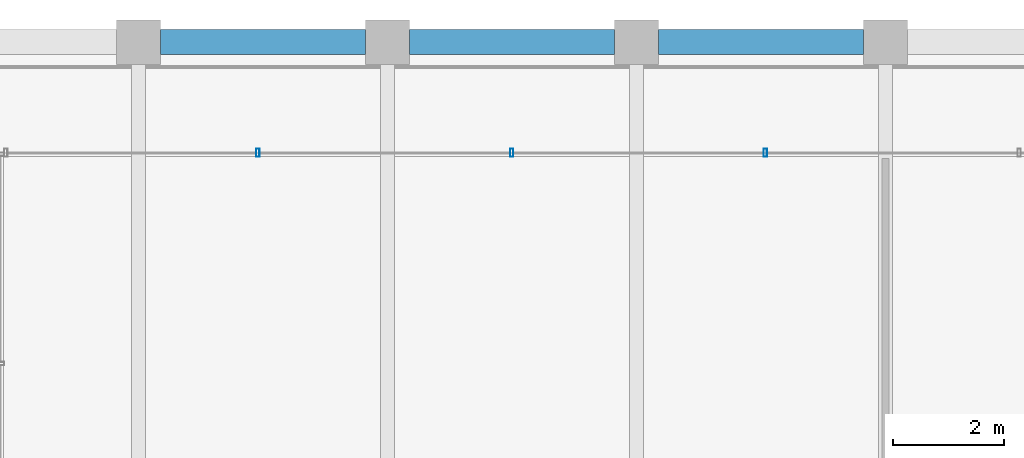
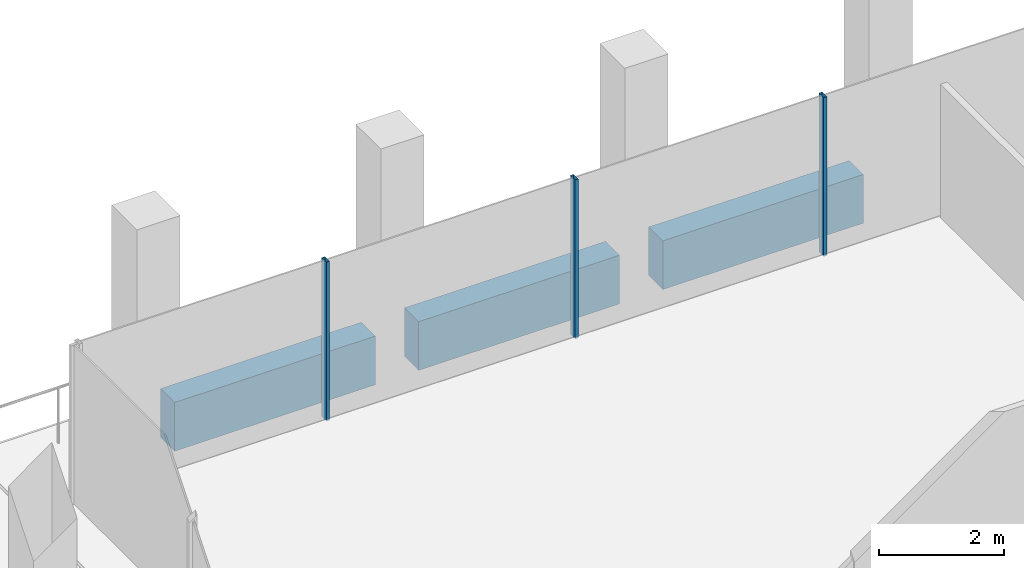
# One storey, part 23 of 30: 3 beams, 3 members, 1 element without a shape of its own.
"""IFC4 building model written with IfcOpenShell, lengths in metres."""

from ifc_helpers import new_model, si_unit, direction, frame, origin, origin_2d, place, context, subcontext, project, spatial, rectangle, hollow_rectangle, extrude, material, material_profile, profile_set, type_object, element, aggregate, save


model = new_model("IFC4")

# Units and contexts
model_context = context("Model", 3, precision=1e-05, world=origin(), true_north=direction((0.0, 1.0)))
body_context = subcontext(model_context, "Body", "Model", "MODEL_VIEW")
ifc_project = project(units=[si_unit("LENGTHUNIT", "METRE"), si_unit("AREAUNIT", "SQUARE_METRE"), si_unit("VOLUMEUNIT", "CUBIC_METRE"), si_unit("PLANEANGLEUNIT", "RADIAN"), si_unit("MASSUNIT", "GRAM", prefix="KILO")], contexts=[model_context])

# Site, building, storey
site_placement = place(None, origin())
site = spatial("IfcSite", under=ifc_project, at=site_placement, CompositionType="ELEMENT")
building_placement = place(site_placement, origin())
building = spatial("IfcBuilding", under=site, at=building_placement, Name="Altepetl Exchange Towers", CompositionType="ELEMENT")
storey_placement = place(building_placement, frame((0.0, 0.0, 242.39990234375)))
storey = spatial("IfcBuildingStorey", under=building, at=storey_placement, Name="L62", CompositionType="ELEMENT", Elevation=242.39990234375)

# Curtain wall, members
ifc_material_1 = material(Name="Aluminium 6063-T6 glazing", Category="aluminium")
curtain_wall_type = type_object("IfcCurtainWallType", Name="Loggia glazing system", PredefinedType="NOTDEFINED", material=ifc_material_1)
curtain_wall_placement = place(storey_placement, origin())
curtain_wall = element("IfcCurtainWall", 1, at=curtain_wall_placement, inside=storey, type_object=curtain_wall_type, Name="CW1 run", PredefinedType="NOTDEFINED")
ifc_material_2 = material(Name="Aluminium 6063-T6", Category="aluminium")
ifc_material_profile_1 = material_profile(ifc_material_2, hollow_rectangle(XDim=0.06005859375, YDim=0.14990234375, WallThickness=0.0029296875, at=origin_2d()), Name="Mullion 60x150 aluminium")
ifc_profile_set_1 = profile_set([ifc_material_profile_1], Name="Aluminium 6063-T6")
member_type = type_object("IfcMemberType", Name="Mullion 60x150 aluminium", PredefinedType="MULLION", material=ifc_profile_set_1)
member_1_placement = place(storey_placement, frame((56.330078125, 70.0, 0.0), z_axis=(0.0, 0.0, 1.0), x_axis=(-1.0, 0.0, 0.0)))
member_1 = element("IfcMember", 2, at=member_1_placement, type_object=member_type, Name="MU1 mullion", PredefinedType="MULLION", context=body_context, shape_type="SweptSolid", body=[
    extrude(hollow_rectangle(XDim=0.06005859375, YDim=0.14990234375, WallThickness=0.0029296875, at=origin_2d()), origin(), (0.0, 0.0, 1.0), 3.10009765625),
])
member_2_placement = place(storey_placement, frame((51.7451171875, 70.0, 0.0), z_axis=(0.0, 0.0, 1.0), x_axis=(-1.0, 0.0, 0.0)))
member_2 = element("IfcMember", 3, at=member_2_placement, type_object=member_type, Name="MU1 mullion", PredefinedType="MULLION", context=body_context, shape_type="SweptSolid", body=[
    extrude(hollow_rectangle(XDim=0.06005859375, YDim=0.14990234375, WallThickness=0.0029296875, at=origin_2d()), origin(), (0.0, 0.0, 1.0), 3.10009765625),
])
member_3_placement = place(storey_placement, frame((47.159912109375, 70.0, 0.0), z_axis=(0.0, 0.0, 1.0), x_axis=(-1.0, 0.0, 0.0)))
member_3 = element("IfcMember", 4, at=member_3_placement, type_object=member_type, Name="MU1 mullion", PredefinedType="MULLION", context=body_context, shape_type="SweptSolid", body=[
    extrude(hollow_rectangle(XDim=0.06005859375, YDim=0.14990234375, WallThickness=0.0029296875, at=origin_2d()), origin(), (0.0, 0.0, 1.0), 3.10009765625),
])
aggregate(curtain_wall, [member_1, member_2, member_3])

# Beams
ifc_material_3 = material(Name="Concrete C50/60 precast with cantera rosa facing", Category="concrete")
ifc_material_profile_2 = material_profile(ifc_material_3, rectangle(XDim=0.449951171875, YDim=0.949951171875, at=origin_2d()), Name="450 x 950")
ifc_profile_set_2 = profile_set([ifc_material_profile_2], Name="Concrete C50/60 precast with cantera rosa facing")
beam_type = type_object("IfcBeamType", Name="Spandrel beam 450x950 cantera rosa", PredefinedType="SPANDREL", material=ifc_profile_set_2)
for number, where, z_axis, x_axis, name in (
    (5, (58.10009765625, 72.0, -0.625), (-1.0, 0.0, 0.0), (0.0, -1.0, 0.0), "sp:A:L62:026"),
    (6, (53.60009765625, 72.0, -0.625), (-1.0, 0.0, 0.0), (0.0, -1.0, 0.0), "sp:A:L62:027"),
    (7, (49.10009765625, 72.0, -0.625), (-1.0, 0.0, 0.0), (0.0, -1.0, 0.0), "sp:A:L62:028"),
):
    element("IfcBeam", number, at=place(storey_placement, frame(where, z_axis=z_axis, x_axis=x_axis)), inside=storey, type_object=beam_type, Name=name, PredefinedType="SPANDREL", context=body_context, shape_type="SweptSolid", body=[
        extrude(rectangle(XDim=0.449951171875, YDim=0.949951171875, at=origin_2d()), origin(), (0.0, 0.0, 1.0), 3.7001953125),
    ])

save(model, "model.ifc")
